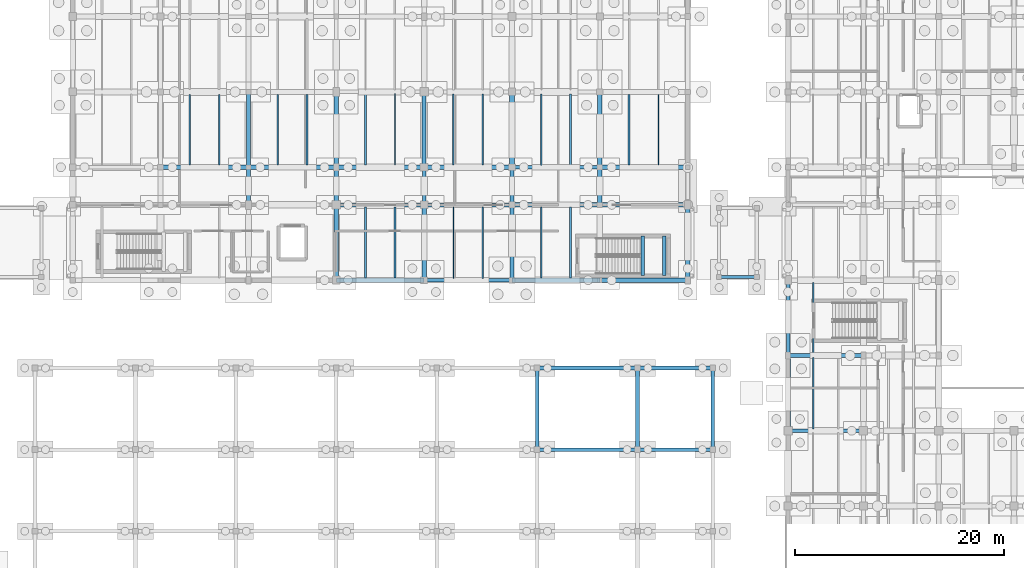
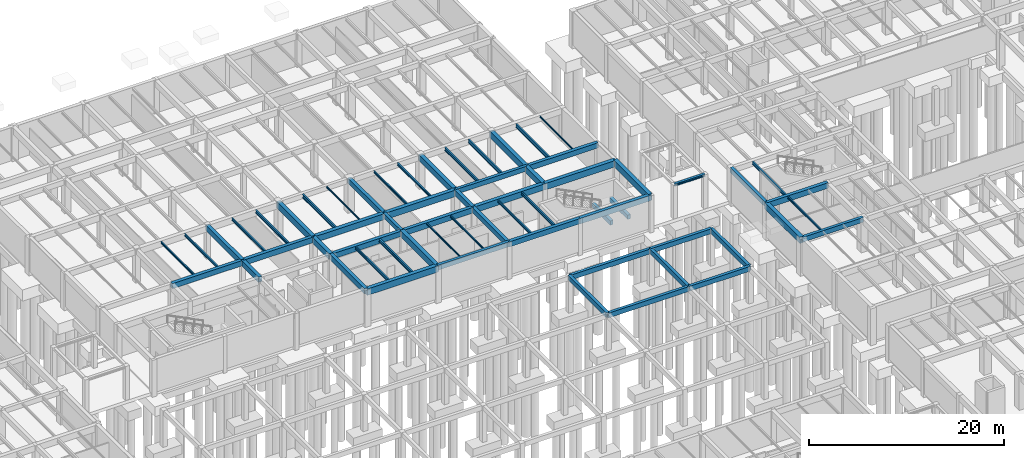
# One storey, part 31 of 63: 62 beams.
"""IFC4 building model written with IfcOpenShell, lengths in metres."""

from ifc_helpers import new_model, si_unit, direction, frame, origin, origin_2d, place, context, subcontext, project, spatial, rectangle, i_section, extrude, material, material_profile, profile_set, type_object, element, save


model = new_model("IFC4")

# Units and contexts
model_context = context("Model", 3, precision=1e-05, world=origin(), true_north=direction((0.0, 1.0)))
body_context = subcontext(model_context, "Body", "Model", "MODEL_VIEW")
ifc_project = project(units=[si_unit("LENGTHUNIT", "METRE"), si_unit("AREAUNIT", "SQUARE_METRE"), si_unit("VOLUMEUNIT", "CUBIC_METRE"), si_unit("PLANEANGLEUNIT", "RADIAN"), si_unit("MASSUNIT", "GRAM", prefix="KILO")], contexts=[model_context])

# Site, building, storey
site_placement = place(None, origin())
site = spatial("IfcSite", under=ifc_project, at=site_placement, CompositionType="ELEMENT")
building_placement = place(site_placement, origin())
building = spatial("IfcBuilding", under=site, at=building_placement, Name="Mazaris Harbour Polytechnic", CompositionType="ELEMENT")
storey_placement = place(building_placement, frame((0.0, 0.0, -4.5)))
storey = spatial("IfcBuildingStorey", under=building, at=storey_placement, Name="B1", CompositionType="ELEMENT", Elevation=-4.5)

# Beams
ifc_material_1 = material(Name="Concrete C35/45", Category="concrete")
ifc_material_profile_1 = material_profile(ifc_material_1, rectangle(XDim=0.35009765625, YDim=0.60009765625, at=origin_2d()), Name="RECT350x600")
ifc_profile_set_1 = profile_set([ifc_material_profile_1], Name="Concrete C35/45")
beam_type_1 = type_object("IfcBeamType", Name="RC Girder 350x600", PredefinedType="BEAM", material=ifc_profile_set_1)
beam_1_placement = place(storey_placement, frame((96.0, 86.39990234375, 3.85009765625), z_axis=(1.0, 0.0, 0.0), x_axis=(0.0, 1.0, 0.0)))
element("IfcBeam", 1, at=beam_1_placement, inside=storey, type_object=beam_type_1, Name="V1 B1 Girder 20", PredefinedType="BEAM", context=body_context, shape_type="SweptSolid", body=[
    extrude(rectangle(XDim=0.35009765625, YDim=0.60009765625, at=origin_2d()), origin(), (0.0, 0.0, 1.0), 8.39990234375),
])
beam_2_placement = place(storey_placement, frame((87.60009765625, 82.800048828125, 3.85009765625), z_axis=(0.0, 1.0, 0.0), x_axis=(-1.0, 0.0, 0.0)))
element("IfcBeam", 2, at=beam_2_placement, inside=storey, type_object=beam_type_1, Name="V1 B1 Tie Girder 85", PredefinedType="BEAM", context=body_context, shape_type="SweptSolid", body=[
    extrude(rectangle(XDim=0.35009765625, YDim=0.60009765625, at=origin_2d()), origin(), (0.0, 0.0, 1.0), 3.599853515625),
])
beam_3_placement = place(storey_placement, frame((122.39990234375, 61.199951171875, 3.8798828125), z_axis=(1.0, 0.0, 0.0), x_axis=(0.0, 1.0, 0.0)))
element("IfcBeam", 3, at=beam_3_placement, inside=storey, type_object=beam_type_1, Name="V5 B1 Girder 2500", PredefinedType="BEAM", context=body_context, shape_type="SweptSolid", body=[
    extrude(rectangle(XDim=0.35009765625, YDim=0.60009765625, at=origin_2d()), origin(), (0.0, 0.0, 1.0), 7.2001953125),
])
beam_4_placement = place(storey_placement, frame((98.39990234375, 59.39990234375, 3.89990234375), z_axis=(1.0, 0.0, 0.0), x_axis=(0.0, 1.0, 0.0)))
element("IfcBeam", 4, at=beam_4_placement, inside=storey, type_object=beam_type_1, Name="Courtyard Deck Girder X-3522", PredefinedType="BEAM", context=body_context, shape_type="SweptSolid", body=[
    extrude(rectangle(XDim=0.35009765625, YDim=0.60009765625, at=origin_2d()), origin(), (0.0, 0.0, 1.0), 9.60009765625),
])
beam_5_placement = place(storey_placement, frame((108.0, 59.39990234375, 3.89990234375), z_axis=(1.0, 0.0, 0.0), x_axis=(0.0, 1.0, 0.0)))
element("IfcBeam", 5, at=beam_5_placement, inside=storey, type_object=beam_type_1, Name="Courtyard Deck Girder X-3523", PredefinedType="BEAM", context=body_context, shape_type="SweptSolid", body=[
    extrude(rectangle(XDim=0.35009765625, YDim=0.60009765625, at=origin_2d()), origin(), (0.0, 0.0, 1.0), 7.199951171875),
])
beam_6_placement = place(storey_placement, frame((98.39990234375, 67.199951171875, 3.89990234375), z_axis=(1.0, 0.0, 0.0), x_axis=(0.0, 1.0, 0.0)))
element("IfcBeam", 6, at=beam_6_placement, inside=storey, type_object=beam_type_1, Name="Courtyard Deck Girder X-3529", PredefinedType="BEAM", context=body_context, shape_type="SweptSolid", body=[
    extrude(rectangle(XDim=0.35009765625, YDim=0.60009765625, at=origin_2d()), origin(), (0.0, 0.0, 1.0), 9.60009765625),
])
beam_7_placement = place(storey_placement, frame((108.0, 67.199951171875, 3.89990234375), z_axis=(1.0, 0.0, 0.0), x_axis=(0.0, 1.0, 0.0)))
element("IfcBeam", 7, at=beam_7_placement, inside=storey, type_object=beam_type_1, Name="Courtyard Deck Girder X-3530", PredefinedType="BEAM", context=body_context, shape_type="SweptSolid", body=[
    extrude(rectangle(XDim=0.35009765625, YDim=0.60009765625, at=origin_2d()), origin(), (0.0, 0.0, 1.0), 7.199951171875),
])
for number, where, z_axis, x_axis, name in (
    (8, (98.39990234375, 59.39990234375, 3.89990234375), (0.0, 1.0, 0.0), (-1.0, 0.0, 0.0), "Courtyard Deck Girder Y-3548"),
    (9, (108.0, 59.39990234375, 3.89990234375), (0.0, 1.0, 0.0), (-1.0, 0.0, 0.0), "Courtyard Deck Girder Y-3551"),
    (10, (115.199951171875, 59.39990234375, 3.89990234375), (0.0, 1.0, 0.0), (-1.0, 0.0, 0.0), "Courtyard Deck Girder Y-3554"),
):
    element("IfcBeam", number, at=place(storey_placement, frame(where, z_axis=z_axis, x_axis=x_axis)), inside=storey, type_object=beam_type_1, Name=name, PredefinedType="BEAM", context=body_context, shape_type="SweptSolid", body=[
        extrude(rectangle(XDim=0.35009765625, YDim=0.60009765625, at=origin_2d()), origin(), (0.0, 0.0, 1.0), 7.800048828125),
    ])
ifc_material_2 = material(Name="Concrete C35/45", Category="concrete")
ifc_material_profile_2 = material_profile(ifc_material_2, rectangle(XDim=0.35009765625, YDim=0.60009765625, at=origin_2d()), Name="RECT350x600")
ifc_profile_set_2 = profile_set([ifc_material_profile_2], Name="Concrete C35/45")
beam_type_2 = type_object("IfcBeamType", Name="RC Girder 350x600 Exterior", PredefinedType="BEAM", material=ifc_profile_set_2)
beam_8_placement = place(storey_placement, frame((87.60009765625, 75.60009765625, 3.85009765625), z_axis=(1.0, 0.0, 0.0), x_axis=(0.0, 1.0, 0.0)))
element("IfcBeam", 11, at=beam_8_placement, inside=storey, type_object=beam_type_2, Name="V1 B1 Girder 5", PredefinedType="BEAM", context=body_context, shape_type="SweptSolid", body=[
    extrude(rectangle(XDim=0.35009765625, YDim=0.60009765625, at=origin_2d()), origin(), (0.0, 0.0, 1.0), 8.39990234375),
])
beam_9_placement = place(storey_placement, frame((122.39990234375, 68.39990234375, 3.8798828125), z_axis=(0.0, 1.0, 0.0), x_axis=(-1.0, 0.0, 0.0)))
element("IfcBeam", 12, at=beam_9_placement, inside=storey, type_object=beam_type_2, Name="V5 B1 Tie Girder 2550", PredefinedType="BEAM", context=body_context, shape_type="SweptSolid", body=[
    extrude(rectangle(XDim=0.35009765625, YDim=0.60009765625, at=origin_2d()), origin(), (0.0, 0.0, 1.0), 7.2001953125),
])
ifc_material_3 = material(Name="Concrete C35/45", Category="concrete")
ifc_material_profile_3 = material_profile(ifc_material_3, rectangle(XDim=0.39990234375, YDim=0.64990234375, at=origin_2d()), Name="RECT400x650")
ifc_profile_set_3 = profile_set([ifc_material_profile_3], Name="Concrete C35/45")
beam_type_3 = type_object("IfcBeamType", Name="RC Girder 400x650", PredefinedType="BEAM", material=ifc_profile_set_3)
for number, where, z_axis, x_axis, name in (
    (13, (79.199951171875, 82.800048828125, 3.824951171875), (1.0, 0.0, 0.0), (0.0, 1.0, 0.0), "V1 B1 Girder 11"),
    (14, (62.39990234375, 86.39990234375, 3.824951171875), (1.0, 0.0, 0.0), (0.0, 1.0, 0.0), "V1 B1 Girder 16"),
    (15, (104.39990234375, 86.39990234375, 3.824951171875), (1.0, 0.0, 0.0), (0.0, 1.0, 0.0), "V1 B1 Girder 21"),
):
    element("IfcBeam", number, at=place(storey_placement, frame(where, z_axis=z_axis, x_axis=x_axis)), inside=storey, type_object=beam_type_3, Name=name, PredefinedType="BEAM", context=body_context, shape_type="SweptSolid", body=[
        extrude(rectangle(XDim=0.39990234375, YDim=0.64990234375, at=origin_2d()), origin(), (0.0, 0.0, 1.0), 8.400146484375),
    ])
beam_10_placement = place(storey_placement, frame((70.800048828125, 82.800048828125, 3.824951171875), z_axis=(0.0, 1.0, 0.0), x_axis=(-1.0, 0.0, 0.0)))
element("IfcBeam", 16, at=beam_10_placement, inside=storey, type_object=beam_type_3, Name="V1 B1 Tie Girder 71", PredefinedType="BEAM", context=body_context, shape_type="SweptSolid", body=[
    extrude(rectangle(XDim=0.39990234375, YDim=0.64990234375, at=origin_2d()), origin(), (0.0, 0.0, 1.0), 3.599853515625),
])
beam_11_placement = place(storey_placement, frame((87.60009765625, 86.39990234375, 3.824951171875), z_axis=(0.0, 1.0, 0.0), x_axis=(-1.0, 0.0, 0.0)))
element("IfcBeam", 17, at=beam_11_placement, inside=storey, type_object=beam_type_3, Name="V1 B1 Tie Girder 86", PredefinedType="BEAM", context=body_context, shape_type="SweptSolid", body=[
    extrude(rectangle(XDim=0.39990234375, YDim=0.64990234375, at=origin_2d()), origin(), (0.0, 0.0, 1.0), 7.2001953125),
])
beam_12_placement = place(storey_placement, frame((96.0, 75.60009765625, 3.824951171875), z_axis=(0.0, 1.0, 0.0), x_axis=(-1.0, 0.0, 0.0)))
element("IfcBeam", 18, at=beam_12_placement, inside=storey, type_object=beam_type_3, Name="V1 B1 Tie Girder 91", PredefinedType="BEAM", context=body_context, shape_type="SweptSolid", body=[
    extrude(rectangle(XDim=0.39990234375, YDim=0.64990234375, at=origin_2d()), origin(), (0.0, 0.0, 1.0), 7.199951171875),
])
ifc_material_4 = material(Name="Concrete C35/45", Category="concrete")
ifc_material_profile_4 = material_profile(ifc_material_4, rectangle(XDim=0.39990234375, YDim=0.64990234375, at=origin_2d()), Name="RECT400x650")
ifc_profile_set_4 = profile_set([ifc_material_profile_4], Name="Concrete C35/45")
beam_type_4 = type_object("IfcBeamType", Name="RC Girder 400x650 Exterior", PredefinedType="BEAM", material=ifc_profile_set_4)
beam_13_placement = place(storey_placement, frame((96.0, 75.60009765625, 3.824951171875), z_axis=(1.0, 0.0, 0.0), x_axis=(0.0, 1.0, 0.0)))
element("IfcBeam", 19, at=beam_13_placement, inside=storey, type_object=beam_type_4, Name="V1 B1 Girder 6", PredefinedType="BEAM", context=body_context, shape_type="SweptSolid", body=[
    extrude(rectangle(XDim=0.39990234375, YDim=0.64990234375, at=origin_2d()), origin(), (0.0, 0.0, 1.0), 8.39990234375),
])
ifc_material_5 = material(Name="Concrete C35/45", Category="concrete")
ifc_material_profile_5 = material_profile(ifc_material_5, rectangle(XDim=0.39990234375, YDim=0.699951171875, at=origin_2d()), Name="RECT400x700")
ifc_profile_set_5 = profile_set([ifc_material_profile_5], Name="Concrete C35/45")
beam_type_5 = type_object("IfcBeamType", Name="RC Girder 400x700", PredefinedType="BEAM", material=ifc_profile_set_5)
for number, where, z_axis, x_axis, name in (
    (20, (87.60009765625, 82.800048828125, 3.800048828125), (1.0, 0.0, 0.0), (0.0, 1.0, 0.0), "V1 B1 Girder 12"),
    (21, (70.800048828125, 86.39990234375, 3.800048828125), (1.0, 0.0, 0.0), (0.0, 1.0, 0.0), "V1 B1 Girder 17"),
):
    element("IfcBeam", number, at=place(storey_placement, frame(where, z_axis=z_axis, x_axis=x_axis)), inside=storey, type_object=beam_type_5, Name=name, PredefinedType="BEAM", context=body_context, shape_type="SweptSolid", body=[
        extrude(rectangle(XDim=0.39990234375, YDim=0.699951171875, at=origin_2d()), origin(), (0.0, 0.0, 1.0), 8.39990234375),
    ])
beam_14_placement = place(storey_placement, frame((70.800048828125, 86.39990234375, 3.800048828125), z_axis=(0.0, 1.0, 0.0), x_axis=(-1.0, 0.0, 0.0)))
element("IfcBeam", 22, at=beam_14_placement, inside=storey, type_object=beam_type_5, Name="V1 B1 Tie Girder 72", PredefinedType="BEAM", context=body_context, shape_type="SweptSolid", body=[
    extrude(rectangle(XDim=0.39990234375, YDim=0.699951171875, at=origin_2d()), origin(), (0.0, 0.0, 1.0), 7.2001953125),
])
beam_15_placement = place(storey_placement, frame((79.199951171875, 75.60009765625, 3.800048828125), z_axis=(0.0, 1.0, 0.0), x_axis=(-1.0, 0.0, 0.0)))
element("IfcBeam", 23, at=beam_15_placement, inside=storey, type_object=beam_type_5, Name="V1 B1 Tie Girder 77", PredefinedType="BEAM", context=body_context, shape_type="SweptSolid", body=[
    extrude(rectangle(XDim=0.39990234375, YDim=0.699951171875, at=origin_2d()), origin(), (0.0, 0.0, 1.0), 7.199951171875),
])
beam_16_placement = place(storey_placement, frame((96.0, 82.800048828125, 3.800048828125), z_axis=(0.0, 1.0, 0.0), x_axis=(-1.0, 0.0, 0.0)))
element("IfcBeam", 24, at=beam_16_placement, inside=storey, type_object=beam_type_5, Name="V1 B1 Tie Girder 92", PredefinedType="BEAM", context=body_context, shape_type="SweptSolid", body=[
    extrude(rectangle(XDim=0.39990234375, YDim=0.699951171875, at=origin_2d()), origin(), (0.0, 0.0, 1.0), 3.599853515625),
])
beam_17_placement = place(storey_placement, frame((122.39990234375, 68.39990234375, 3.830078125), z_axis=(1.0, 0.0, 0.0), x_axis=(0.0, 1.0, 0.0)))
element("IfcBeam", 25, at=beam_17_placement, inside=storey, type_object=beam_type_5, Name="V5 B1 Girder 2507", PredefinedType="BEAM", context=body_context, shape_type="SweptSolid", body=[
    extrude(rectangle(XDim=0.39990234375, YDim=0.699951171875, at=origin_2d()), origin(), (0.0, 0.0, 1.0), 7.2001953125),
])
ifc_material_6 = material(Name="Concrete C35/45", Category="concrete")
ifc_material_profile_6 = material_profile(ifc_material_6, rectangle(XDim=0.39990234375, YDim=0.699951171875, at=origin_2d()), Name="RECT400x700")
ifc_profile_set_6 = profile_set([ifc_material_profile_6], Name="Concrete C35/45")
beam_type_6 = type_object("IfcBeamType", Name="RC Girder 400x700 Exterior", PredefinedType="BEAM", material=ifc_profile_set_6)
beam_18_placement = place(storey_placement, frame((104.39990234375, 75.60009765625, 3.800048828125), z_axis=(1.0, 0.0, 0.0), x_axis=(0.0, 1.0, 0.0)))
element("IfcBeam", 26, at=beam_18_placement, inside=storey, type_object=beam_type_6, Name="V1 B1 Girder 7", PredefinedType="BEAM", context=body_context, shape_type="SweptSolid", body=[
    extrude(rectangle(XDim=0.39990234375, YDim=0.699951171875, at=origin_2d()), origin(), (0.0, 0.0, 1.0), 8.400146484375),
])
ifc_material_7 = material(Name="Concrete C40/50", Category="concrete")
ifc_material_profile_7 = material_profile(ifc_material_7, rectangle(XDim=0.449951171875, YDim=0.75, at=origin_2d()), Name="RECT450x750")
ifc_profile_set_7 = profile_set([ifc_material_profile_7], Name="Concrete C40/50")
beam_type_7 = type_object("IfcBeamType", Name="RC Girder 450x750", PredefinedType="BEAM", material=ifc_profile_set_7)
beam_19_placement = place(storey_placement, frame((96.0, 82.800048828125, 3.77490234375), z_axis=(1.0, 0.0, 0.0), x_axis=(0.0, 1.0, 0.0)))
element("IfcBeam", 27, at=beam_19_placement, inside=storey, type_object=beam_type_7, Name="V1 B1 Girder 13", PredefinedType="BEAM", context=body_context, shape_type="SweptSolid", body=[
    extrude(rectangle(XDim=0.449951171875, YDim=0.75, at=origin_2d()), origin(), (0.0, 0.0, 1.0), 8.39990234375),
])
beam_20_placement = place(storey_placement, frame((79.199951171875, 86.39990234375, 3.77490234375), z_axis=(1.0, 0.0, 0.0), x_axis=(0.0, 1.0, 0.0)))
element("IfcBeam", 28, at=beam_20_placement, inside=storey, type_object=beam_type_7, Name="V1 B1 Girder 18", PredefinedType="BEAM", context=body_context, shape_type="SweptSolid", body=[
    extrude(rectangle(XDim=0.449951171875, YDim=0.75, at=origin_2d()), origin(), (0.0, 0.0, 1.0), 8.400146484375),
])
beam_21_placement = place(storey_placement, frame((79.199951171875, 82.800048828125, 3.77490234375), z_axis=(0.0, 1.0, 0.0), x_axis=(-1.0, 0.0, 0.0)))
element("IfcBeam", 29, at=beam_21_placement, inside=storey, type_object=beam_type_7, Name="V1 B1 Tie Girder 78", PredefinedType="BEAM", context=body_context, shape_type="SweptSolid", body=[
    extrude(rectangle(XDim=0.449951171875, YDim=0.75, at=origin_2d()), origin(), (0.0, 0.0, 1.0), 3.599853515625),
])
beam_22_placement = place(storey_placement, frame((96.0, 86.39990234375, 3.77490234375), z_axis=(0.0, 1.0, 0.0), x_axis=(-1.0, 0.0, 0.0)))
element("IfcBeam", 30, at=beam_22_placement, inside=storey, type_object=beam_type_7, Name="V1 B1 Tie Girder 93", PredefinedType="BEAM", context=body_context, shape_type="SweptSolid", body=[
    extrude(rectangle(XDim=0.449951171875, YDim=0.75, at=origin_2d()), origin(), (0.0, 0.0, 1.0), 7.2001953125),
])
beam_23_placement = place(storey_placement, frame((104.39990234375, 82.800048828125, 3.77490234375), z_axis=(0.0, 1.0, 0.0), x_axis=(-1.0, 0.0, 0.0)))
element("IfcBeam", 31, at=beam_23_placement, inside=storey, type_object=beam_type_7, Name="V1 B1 Tie Girder 98", PredefinedType="BEAM", context=body_context, shape_type="SweptSolid", body=[
    extrude(rectangle(XDim=0.449951171875, YDim=0.75, at=origin_2d()), origin(), (0.0, 0.0, 1.0), 3.599853515625),
])
ifc_material_8 = material(Name="Concrete C40/50", Category="concrete")
ifc_material_profile_8 = material_profile(ifc_material_8, rectangle(XDim=0.449951171875, YDim=0.800048828125, at=origin_2d()), Name="RECT450x800")
ifc_profile_set_8 = profile_set([ifc_material_profile_8], Name="Concrete C40/50")
beam_type_8 = type_object("IfcBeamType", Name="RC Girder 450x800", PredefinedType="BEAM", material=ifc_profile_set_8)
beam_24_placement = place(storey_placement, frame((104.39990234375, 82.800048828125, 3.75), z_axis=(1.0, 0.0, 0.0), x_axis=(0.0, 1.0, 0.0)))
element("IfcBeam", 32, at=beam_24_placement, inside=storey, type_object=beam_type_8, Name="V1 B1 Girder 14", PredefinedType="BEAM", context=body_context, shape_type="SweptSolid", body=[
    extrude(rectangle(XDim=0.449951171875, YDim=0.800048828125, at=origin_2d()), origin(), (0.0, 0.0, 1.0), 8.400146484375),
])
beam_25_placement = place(storey_placement, frame((87.60009765625, 86.39990234375, 3.75), z_axis=(1.0, 0.0, 0.0), x_axis=(0.0, 1.0, 0.0)))
element("IfcBeam", 33, at=beam_25_placement, inside=storey, type_object=beam_type_8, Name="V1 B1 Girder 19", PredefinedType="BEAM", context=body_context, shape_type="SweptSolid", body=[
    extrude(rectangle(XDim=0.449951171875, YDim=0.800048828125, at=origin_2d()), origin(), (0.0, 0.0, 1.0), 8.39990234375),
])
beam_26_placement = place(storey_placement, frame((79.199951171875, 86.39990234375, 3.75), z_axis=(0.0, 1.0, 0.0), x_axis=(-1.0, 0.0, 0.0)))
element("IfcBeam", 34, at=beam_26_placement, inside=storey, type_object=beam_type_8, Name="V1 B1 Tie Girder 79", PredefinedType="BEAM", context=body_context, shape_type="SweptSolid", body=[
    extrude(rectangle(XDim=0.449951171875, YDim=0.800048828125, at=origin_2d()), origin(), (0.0, 0.0, 1.0), 7.2001953125),
])
beam_27_placement = place(storey_placement, frame((87.60009765625, 75.60009765625, 3.75), z_axis=(0.0, 1.0, 0.0), x_axis=(-1.0, 0.0, 0.0)))
element("IfcBeam", 35, at=beam_27_placement, inside=storey, type_object=beam_type_8, Name="V1 B1 Tie Girder 84", PredefinedType="BEAM", context=body_context, shape_type="SweptSolid", body=[
    extrude(rectangle(XDim=0.449951171875, YDim=0.800048828125, at=origin_2d()), origin(), (0.0, 0.0, 1.0), 7.199951171875),
])
beam_28_placement = place(storey_placement, frame((104.39990234375, 86.39990234375, 3.75), z_axis=(0.0, 1.0, 0.0), x_axis=(-1.0, 0.0, 0.0)))
element("IfcBeam", 36, at=beam_28_placement, inside=storey, type_object=beam_type_8, Name="V1 B1 Tie Girder 99", PredefinedType="BEAM", context=body_context, shape_type="SweptSolid", body=[
    extrude(rectangle(XDim=0.449951171875, YDim=0.800048828125, at=origin_2d()), origin(), (0.0, 0.0, 1.0), 7.2001953125),
])
ifc_material_9 = material(Name="Concrete C40/50", Category="concrete")
ifc_material_profile_9 = material_profile(ifc_material_9, rectangle(XDim=0.449951171875, YDim=0.800048828125, at=origin_2d()), Name="RECT450x800")
ifc_profile_set_9 = profile_set([ifc_material_profile_9], Name="Concrete C40/50")
beam_type_9 = type_object("IfcBeamType", Name="RC Girder 450x800 Exterior", PredefinedType="BEAM", material=ifc_profile_set_9)
beam_29_placement = place(storey_placement, frame((79.199951171875, 75.60009765625, 3.75), z_axis=(1.0, 0.0, 0.0), x_axis=(0.0, 1.0, 0.0)))
element("IfcBeam", 37, at=beam_29_placement, inside=storey, type_object=beam_type_9, Name="V1 B1 Girder 4", PredefinedType="BEAM", context=body_context, shape_type="SweptSolid", body=[
    extrude(rectangle(XDim=0.449951171875, YDim=0.800048828125, at=origin_2d()), origin(), (0.0, 0.0, 1.0), 8.400146484375),
])
for number, where, z_axis, x_axis, name in (
    (38, (112.800048828125, 75.60009765625, 3.75), (0.0, 1.0, 0.0), (-1.0, 0.0, 0.0), "V1 B1 Tie Girder 104"),
    (39, (122.39990234375, 61.199951171875, 3.780029296875), (0.0, 1.0, 0.0), (-1.0, 0.0, 0.0), "V5 B1 Tie Girder 2549"),
):
    element("IfcBeam", number, at=place(storey_placement, frame(where, z_axis=z_axis, x_axis=x_axis)), inside=storey, type_object=beam_type_9, Name=name, PredefinedType="BEAM", context=body_context, shape_type="SweptSolid", body=[
        extrude(rectangle(XDim=0.449951171875, YDim=0.800048828125, at=origin_2d()), origin(), (0.0, 0.0, 1.0), 7.199951171875),
    ])
ifc_material_10 = material(Name="Concrete C40/50", Category="concrete")
ifc_material_profile_10 = material_profile(ifc_material_10, rectangle(XDim=0.35009765625, YDim=0.52001953125, at=origin_2d()), Name="RECT350x520")
ifc_profile_set_10 = profile_set([ifc_material_profile_10], Name="Concrete C40/50")
beam_type_10 = type_object("IfcBeamType", Name="RC Landing Bearer 350x520", PredefinedType="BEAM", material=ifc_profile_set_10)
for number, where, z_axis, x_axis, name in (
    (40, (108.5, 76.050048828125, 1.7900390625), (0.0, 1.0, 0.0), (-1.0, 0.0, 0.0), "Core ST02 B1 Landing Bearer"),
    (41, (110.550048828125, 76.050048828125, 1.7900390625), (0.0, 1.0, 0.0), (-1.0, 0.0, 0.0), "Core ST02 B1 Landing Bearer"),
):
    element("IfcBeam", number, at=place(storey_placement, frame(where, z_axis=z_axis, x_axis=x_axis)), inside=storey, type_object=beam_type_10, Name=name, PredefinedType="BEAM", context=body_context, shape_type="SweptSolid", body=[
        extrude(rectangle(XDim=0.35009765625, YDim=0.52001953125, at=origin_2d()), origin(), (0.0, 0.0, 1.0), 3.75),
    ])
ifc_material_11 = material(Name="Steel S355", Category="steel")
ifc_material_profile_11 = material_profile(ifc_material_11, i_section(OverallWidth=0.300048828125, OverallDepth=0.2900390625, WebThickness=0.008544921875, FlangeThickness=0.013916015625, FilletRadius=0.027099609375, at=origin_2d()), Name="HEA 300")
ifc_profile_set_11 = profile_set([ifc_material_profile_11], Name="Steel S355")
beam_type_11 = type_object("IfcBeamType", Name="Steel Beam HEA300 Exterior", PredefinedType="SPANDREL", material=ifc_profile_set_11)
beam_30_placement = place(storey_placement, frame((115.800048828125, 75.89990234375, 4.090087890625), z_axis=(1.0, 0.0, 0.0), x_axis=(0.0, 1.0, 0.0)))
element("IfcBeam", 42, at=beam_30_placement, inside=storey, type_object=beam_type_11, Name="PB-E2 B1 Bridge Beam 3455", PredefinedType="SPANDREL", context=body_context, shape_type="SweptSolid", body=[
    extrude(i_section(OverallWidth=0.300048828125, OverallDepth=0.2900390625, WebThickness=0.008544921875, FlangeThickness=0.013916015625, FilletRadius=0.027099609375, at=origin_2d()), origin(), (0.0, 0.0, 1.0), 3.599853515625),
])
ifc_material_12 = material(Name="Steel S355", Category="steel")
ifc_material_profile_12 = material_profile(ifc_material_12, i_section(OverallWidth=0.10009765625, OverallDepth=0.199951171875, WebThickness=0.005615234375, FlangeThickness=0.008544921875, FilletRadius=0.011962890625, at=origin_2d()), Name="IPE 200")
ifc_profile_set_12 = profile_set([ifc_material_profile_12], Name="Steel S355")
beam_type_12 = type_object("IfcBeamType", Name="Steel Joist IPE200", PredefinedType="JOIST", material=ifc_profile_set_12)
beam_31_placement = place(storey_placement, frame((84.800048828125, 86.625, 4.050048828125), z_axis=(0.0, 1.0, 0.0), x_axis=(-1.0, 0.0, 0.0)))
element("IfcBeam", 43, at=beam_31_placement, inside=storey, type_object=beam_type_12, Name="V1 B1 Floor Joist 140", PredefinedType="JOIST", context=body_context, shape_type="SweptSolid", body=[
    extrude(i_section(OverallWidth=0.10009765625, OverallDepth=0.199951171875, WebThickness=0.005615234375, FlangeThickness=0.008544921875, FilletRadius=0.011962890625, at=origin_2d()), origin(), (0.0, 0.0, 1.0), 6.800048828125),
])
beam_32_placement = place(storey_placement, frame((90.39990234375, 75.77490234375, 4.050048828125), z_axis=(0.0, 1.0, 0.0), x_axis=(-1.0, 0.0, 0.0)))
element("IfcBeam", 44, at=beam_32_placement, inside=storey, type_object=beam_type_12, Name="V1 B1 Floor Joist 147", PredefinedType="JOIST", context=body_context, shape_type="SweptSolid", body=[
    extrude(i_section(OverallWidth=0.10009765625, OverallDepth=0.199951171875, WebThickness=0.005615234375, FlangeThickness=0.008544921875, FilletRadius=0.011962890625, at=origin_2d()), origin(), (0.0, 0.0, 1.0), 6.8251953125),
])
beam_33_placement = place(storey_placement, frame((110.0, 86.60009765625, 4.050048828125), z_axis=(0.0, 1.0, 0.0), x_axis=(-1.0, 0.0, 0.0)))
element("IfcBeam", 45, at=beam_33_placement, inside=storey, type_object=beam_type_12, Name="V1 B1 Floor Joist 168", PredefinedType="JOIST", context=body_context, shape_type="SweptSolid", body=[
    extrude(i_section(OverallWidth=0.10009765625, OverallDepth=0.199951171875, WebThickness=0.005615234375, FlangeThickness=0.008544921875, FilletRadius=0.011962890625, at=origin_2d()), origin(), (0.0, 0.0, 1.0), 6.77490234375),
])
ifc_material_13 = material(Name="Steel S355", Category="steel")
ifc_material_profile_13 = material_profile(ifc_material_13, i_section(OverallWidth=0.1201171875, OverallDepth=0.239990234375, WebThickness=0.006103515625, FlangeThickness=0.009765625, FilletRadius=0.014892578125, at=origin_2d()), Name="IPE 240")
ifc_profile_set_13 = profile_set([ifc_material_profile_13], Name="Steel S355")
beam_type_13 = type_object("IfcBeamType", Name="Steel Joist IPE240", PredefinedType="JOIST", material=ifc_profile_set_13)
beam_34_placement = place(storey_placement, frame((93.199951171875, 75.77490234375, 4.030029296875), z_axis=(0.0, 1.0, 0.0), x_axis=(-1.0, 0.0, 0.0)))
element("IfcBeam", 46, at=beam_34_placement, inside=storey, type_object=beam_type_13, Name="V1 B1 Floor Joist 148", PredefinedType="JOIST", context=body_context, shape_type="SweptSolid", body=[
    extrude(i_section(OverallWidth=0.1201171875, OverallDepth=0.239990234375, WebThickness=0.006103515625, FlangeThickness=0.009765625, FilletRadius=0.014892578125, at=origin_2d()), origin(), (0.0, 0.0, 1.0), 6.8251953125),
])
ifc_material_14 = material(Name="Steel S355", Category="steel")
ifc_material_profile_14 = material_profile(ifc_material_14, i_section(OverallWidth=0.135009765625, OverallDepth=0.27001953125, WebThickness=0.006591796875, FlangeThickness=0.01025390625, FilletRadius=0.014892578125, at=origin_2d()), Name="IPE 270")
ifc_profile_set_14 = profile_set([ifc_material_profile_14], Name="Steel S355")
beam_type_14 = type_object("IfcBeamType", Name="Steel Joist IPE270", PredefinedType="JOIST", material=ifc_profile_set_14)
for number, where, z_axis, x_axis, name in (
    (47, (65.199951171875, 86.60009765625, 4.014892578125), (0.0, 1.0, 0.0), (-1.0, 0.0, 0.0), "V1 B1 Floor Joist 121"),
    (48, (90.39990234375, 86.625, 4.014892578125), (0.0, 1.0, 0.0), (-1.0, 0.0, 0.0), "V1 B1 Floor Joist 149"),
):
    element("IfcBeam", number, at=place(storey_placement, frame(where, z_axis=z_axis, x_axis=x_axis)), inside=storey, type_object=beam_type_14, Name=name, PredefinedType="JOIST", context=body_context, shape_type="SweptSolid", body=[
        extrude(i_section(OverallWidth=0.135009765625, OverallDepth=0.27001953125, WebThickness=0.006591796875, FlangeThickness=0.01025390625, FilletRadius=0.014892578125, at=origin_2d()), origin(), (0.0, 0.0, 1.0), 6.77490234375),
    ])
beam_35_placement = place(storey_placement, frame((124.800048828125, 61.375, 4.044921875), z_axis=(0.0, 1.0, 0.0), x_axis=(-1.0, 0.0, 0.0)))
element("IfcBeam", 49, at=beam_35_placement, inside=storey, type_object=beam_type_14, Name="V5 B1 Floor Joist 2613", PredefinedType="JOIST", context=body_context, shape_type="SweptSolid", body=[
    extrude(i_section(OverallWidth=0.135009765625, OverallDepth=0.27001953125, WebThickness=0.006591796875, FlangeThickness=0.01025390625, FilletRadius=0.014892578125, at=origin_2d()), origin(), (0.0, 0.0, 1.0), 6.824951171875),
])
ifc_material_15 = material(Name="Steel S355", Category="steel")
ifc_material_profile_15 = material_profile(ifc_material_15, i_section(OverallWidth=0.14990234375, OverallDepth=0.300048828125, WebThickness=0.007080078125, FlangeThickness=0.0107421875, FilletRadius=0.014892578125, at=origin_2d()), Name="IPE 300")
ifc_profile_set_15 = profile_set([ifc_material_profile_15], Name="Steel S355")
beam_type_15 = type_object("IfcBeamType", Name="Steel Joist IPE300", PredefinedType="JOIST", material=ifc_profile_set_15)
for number, where, z_axis, x_axis, name in (
    (50, (68.0, 86.60009765625, 4.0), (0.0, 1.0, 0.0), (-1.0, 0.0, 0.0), "V1 B1 Floor Joist 122"),
    (51, (73.60009765625, 86.60009765625, 4.0), (0.0, 1.0, 0.0), (-1.0, 0.0, 0.0), "V1 B1 Floor Joist 129"),
    (52, (93.199951171875, 86.625, 4.0), (0.0, 1.0, 0.0), (-1.0, 0.0, 0.0), "V1 B1 Floor Joist 150"),
    (53, (98.800048828125, 75.800048828125, 4.0), (0.0, 1.0, 0.0), (-1.0, 0.0, 0.0), "V1 B1 Floor Joist 157"),
):
    element("IfcBeam", number, at=place(storey_placement, frame(where, z_axis=z_axis, x_axis=x_axis)), inside=storey, type_object=beam_type_15, Name=name, PredefinedType="JOIST", context=body_context, shape_type="SweptSolid", body=[
        extrude(i_section(OverallWidth=0.14990234375, OverallDepth=0.300048828125, WebThickness=0.007080078125, FlangeThickness=0.0107421875, FilletRadius=0.014892578125, at=origin_2d()), origin(), (0.0, 0.0, 1.0), 6.77490234375),
    ])
ifc_material_16 = material(Name="Steel S355", Category="steel")
ifc_material_profile_16 = material_profile(ifc_material_16, i_section(OverallWidth=0.169921875, OverallDepth=0.360107421875, WebThickness=0.008056640625, FlangeThickness=0.0126953125, FilletRadius=0.01806640625, at=origin_2d()), Name="IPE 360")
ifc_profile_set_16 = profile_set([ifc_material_profile_16], Name="Steel S355")
beam_type_16 = type_object("IfcBeamType", Name="Steel Joist IPE360", PredefinedType="JOIST", material=ifc_profile_set_16)
beam_36_placement = place(storey_placement, frame((76.39990234375, 86.60009765625, 3.969970703125), z_axis=(0.0, 1.0, 0.0), x_axis=(-1.0, 0.0, 0.0)))
element("IfcBeam", 54, at=beam_36_placement, inside=storey, type_object=beam_type_16, Name="V1 B1 Floor Joist 130", PredefinedType="JOIST", context=body_context, shape_type="SweptSolid", body=[
    extrude(i_section(OverallWidth=0.169921875, OverallDepth=0.360107421875, WebThickness=0.008056640625, FlangeThickness=0.0126953125, FilletRadius=0.01806640625, at=origin_2d()), origin(), (0.0, 0.0, 1.0), 6.77490234375),
])
beam_37_placement = place(storey_placement, frame((82.0, 75.824951171875, 3.969970703125), z_axis=(0.0, 1.0, 0.0), x_axis=(-1.0, 0.0, 0.0)))
element("IfcBeam", 55, at=beam_37_placement, inside=storey, type_object=beam_type_16, Name="V1 B1 Floor Joist 137", PredefinedType="JOIST", context=body_context, shape_type="SweptSolid", body=[
    extrude(i_section(OverallWidth=0.169921875, OverallDepth=0.360107421875, WebThickness=0.008056640625, FlangeThickness=0.0126953125, FilletRadius=0.01806640625, at=origin_2d()), origin(), (0.0, 0.0, 1.0), 6.775146484375),
])
beam_38_placement = place(storey_placement, frame((101.60009765625, 75.800048828125, 3.969970703125), z_axis=(0.0, 1.0, 0.0), x_axis=(-1.0, 0.0, 0.0)))
element("IfcBeam", 56, at=beam_38_placement, inside=storey, type_object=beam_type_16, Name="V1 B1 Floor Joist 158", PredefinedType="JOIST", context=body_context, shape_type="SweptSolid", body=[
    extrude(i_section(OverallWidth=0.169921875, OverallDepth=0.360107421875, WebThickness=0.008056640625, FlangeThickness=0.0126953125, FilletRadius=0.01806640625, at=origin_2d()), origin(), (0.0, 0.0, 1.0), 6.77490234375),
])
beam_39_placement = place(storey_placement, frame((124.800048828125, 68.60009765625, 4.0), z_axis=(0.0, 1.0, 0.0), x_axis=(-1.0, 0.0, 0.0)))
element("IfcBeam", 57, at=beam_39_placement, inside=storey, type_object=beam_type_16, Name="V5 B1 Floor Joist 2615", PredefinedType="JOIST", context=body_context, shape_type="SweptSolid", body=[
    extrude(i_section(OverallWidth=0.169921875, OverallDepth=0.360107421875, WebThickness=0.008056640625, FlangeThickness=0.0126953125, FilletRadius=0.01806640625, at=origin_2d()), origin(), (0.0, 0.0, 1.0), 6.7998046875),
])
ifc_material_17 = material(Name="Steel S355", Category="steel")
ifc_material_profile_17 = material_profile(ifc_material_17, i_section(OverallWidth=0.179931640625, OverallDepth=0.39990234375, WebThickness=0.008544921875, FlangeThickness=0.013427734375, FilletRadius=0.02099609375, at=origin_2d()), Name="IPE 400")
ifc_profile_set_17 = profile_set([ifc_material_profile_17], Name="Steel S355")
beam_type_17 = type_object("IfcBeamType", Name="Steel Joist IPE400", PredefinedType="JOIST", material=ifc_profile_set_17)
beam_40_placement = place(storey_placement, frame((84.800048828125, 75.824951171875, 3.949951171875), z_axis=(0.0, 1.0, 0.0), x_axis=(-1.0, 0.0, 0.0)))
element("IfcBeam", 58, at=beam_40_placement, inside=storey, type_object=beam_type_17, Name="V1 B1 Floor Joist 138", PredefinedType="JOIST", context=body_context, shape_type="SweptSolid", body=[
    extrude(i_section(OverallWidth=0.179931640625, OverallDepth=0.39990234375, WebThickness=0.008544921875, FlangeThickness=0.013427734375, FilletRadius=0.02099609375, at=origin_2d()), origin(), (0.0, 0.0, 1.0), 6.775146484375),
])
beam_41_placement = place(storey_placement, frame((98.800048828125, 86.574951171875, 3.949951171875), z_axis=(0.0, 1.0, 0.0), x_axis=(-1.0, 0.0, 0.0)))
element("IfcBeam", 59, at=beam_41_placement, inside=storey, type_object=beam_type_17, Name="V1 B1 Floor Joist 159", PredefinedType="JOIST", context=body_context, shape_type="SweptSolid", body=[
    extrude(i_section(OverallWidth=0.179931640625, OverallDepth=0.39990234375, WebThickness=0.008544921875, FlangeThickness=0.013427734375, FilletRadius=0.02099609375, at=origin_2d()), origin(), (0.0, 0.0, 1.0), 6.824951171875),
])
ifc_material_18 = material(Name="Steel S355", Category="steel")
ifc_material_profile_18 = material_profile(ifc_material_18, i_section(OverallWidth=0.18994140625, OverallDepth=0.449951171875, WebThickness=0.009521484375, FlangeThickness=0.0146484375, FilletRadius=0.02099609375, at=origin_2d()), Name="IPE 450")
ifc_profile_set_18 = profile_set([ifc_material_profile_18], Name="Steel S355")
beam_type_18 = type_object("IfcBeamType", Name="Steel Joist IPE450", PredefinedType="JOIST", material=ifc_profile_set_18)
beam_42_placement = place(storey_placement, frame((82.0, 86.625, 3.925048828125), z_axis=(0.0, 1.0, 0.0), x_axis=(-1.0, 0.0, 0.0)))
element("IfcBeam", 60, at=beam_42_placement, inside=storey, type_object=beam_type_18, Name="V1 B1 Floor Joist 139", PredefinedType="JOIST", context=body_context, shape_type="SweptSolid", body=[
    extrude(i_section(OverallWidth=0.18994140625, OverallDepth=0.449951171875, WebThickness=0.009521484375, FlangeThickness=0.0146484375, FilletRadius=0.02099609375, at=origin_2d()), origin(), (0.0, 0.0, 1.0), 6.800048828125),
])
beam_43_placement = place(storey_placement, frame((101.60009765625, 86.574951171875, 3.925048828125), z_axis=(0.0, 1.0, 0.0), x_axis=(-1.0, 0.0, 0.0)))
element("IfcBeam", 61, at=beam_43_placement, inside=storey, type_object=beam_type_18, Name="V1 B1 Floor Joist 160", PredefinedType="JOIST", context=body_context, shape_type="SweptSolid", body=[
    extrude(i_section(OverallWidth=0.18994140625, OverallDepth=0.449951171875, WebThickness=0.009521484375, FlangeThickness=0.0146484375, FilletRadius=0.02099609375, at=origin_2d()), origin(), (0.0, 0.0, 1.0), 6.824951171875),
])
beam_44_placement = place(storey_placement, frame((107.199951171875, 86.60009765625, 3.925048828125), z_axis=(0.0, 1.0, 0.0), x_axis=(-1.0, 0.0, 0.0)))
element("IfcBeam", 62, at=beam_44_placement, inside=storey, type_object=beam_type_18, Name="V1 B1 Floor Joist 167", PredefinedType="JOIST", context=body_context, shape_type="SweptSolid", body=[
    extrude(i_section(OverallWidth=0.18994140625, OverallDepth=0.449951171875, WebThickness=0.009521484375, FlangeThickness=0.0146484375, FilletRadius=0.02099609375, at=origin_2d()), origin(), (0.0, 0.0, 1.0), 6.77490234375),
])

save(model, "model.ifc")
